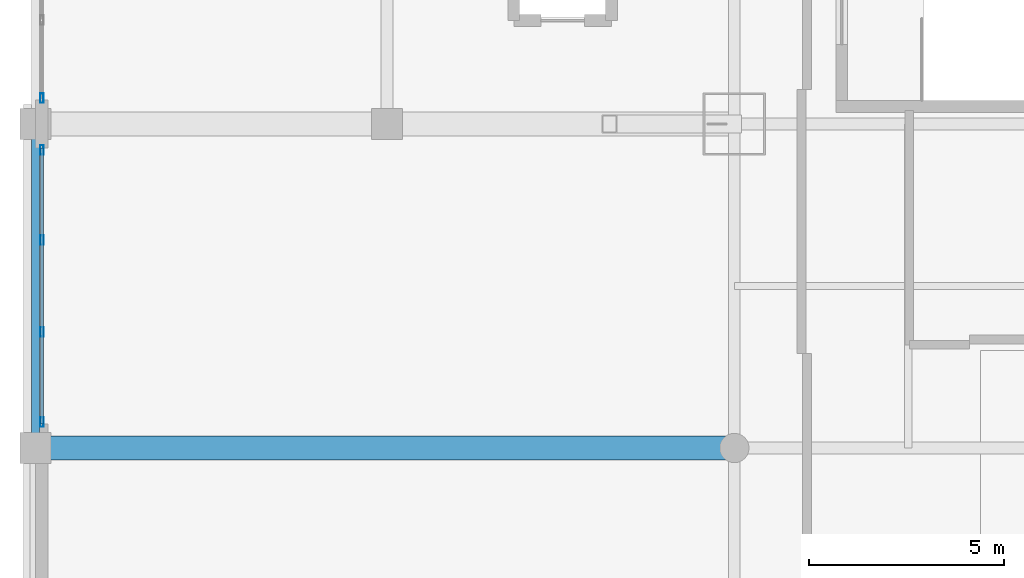
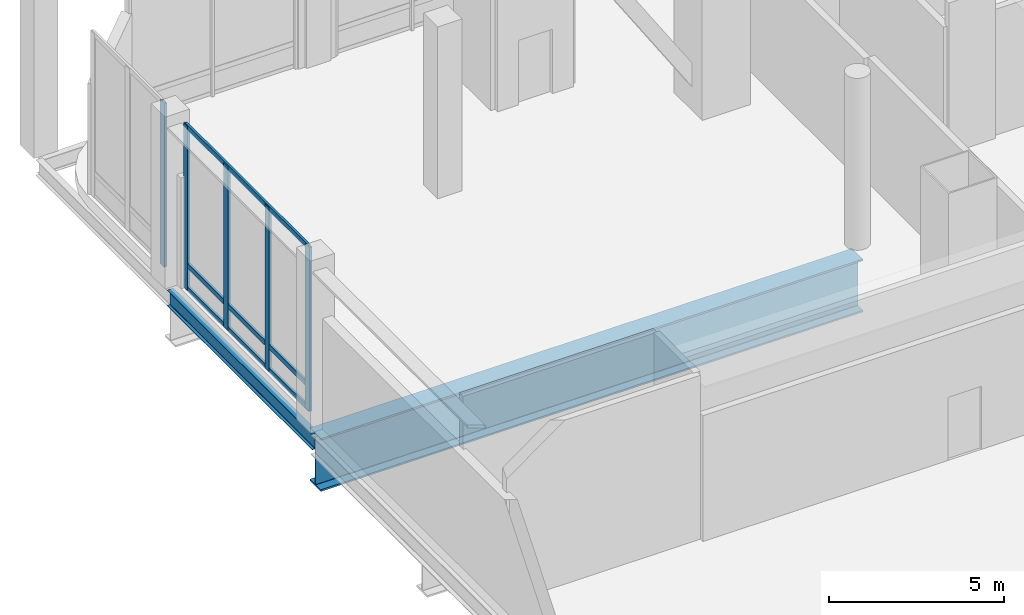
# One storey, part 10 of 38: 8 members, 2 beams, 2 elements without a shape of their own.
"""IFC4 building model written with IfcOpenShell, lengths in metres."""

from ifc_helpers import new_model, si_unit, direction, frame, origin, origin_2d, place, context, subcontext, project, spatial, hollow_rectangle, i_section, extrude, material, material_profile, profile_set, type_object, element, aggregate, save


model = new_model("IFC4")

# Units and contexts
model_context = context("Model", 3, precision=1e-05, world=origin(), true_north=direction((0.0, 1.0)))
body_context = subcontext(model_context, "Body", "Model", "MODEL_VIEW")
ifc_project = project(units=[si_unit("LENGTHUNIT", "METRE"), si_unit("AREAUNIT", "SQUARE_METRE"), si_unit("VOLUMEUNIT", "CUBIC_METRE"), si_unit("PLANEANGLEUNIT", "RADIAN"), si_unit("MASSUNIT", "GRAM", prefix="KILO")], contexts=[model_context])

# Site, building, storey
site_placement = place(None, origin())
site = spatial("IfcSite", under=ifc_project, at=site_placement, CompositionType="ELEMENT")
building_placement = place(site_placement, origin())
building = spatial("IfcBuilding", under=site, at=building_placement, Name="Punatoya Terracotta Tower", CompositionType="ELEMENT")
storey_placement = place(building_placement, frame((0.0, 0.0, 22.199951171875)))
storey = spatial("IfcBuildingStorey", under=building, at=storey_placement, Name="L04", CompositionType="ELEMENT", Elevation=22.199951171875)

# Beams
ifc_material_1 = material(Name="Steel S355", Category="steel")
ifc_material_profile_1 = material_profile(ifc_material_1, i_section(OverallWidth=0.2099609375, OverallDepth=0.550048828125, WebThickness=0.010986328125, FlangeThickness=0.01708984375, FilletRadius=0.01806640625, at=origin_2d()))
ifc_profile_set_1 = profile_set([ifc_material_profile_1], Name="Steel S355")
beam_type_1 = type_object("IfcBeamType", Name="BM-SPN-550", PredefinedType="SPANDREL", material=ifc_profile_set_1)
beam_1_placement = place(storey_placement, frame((-37.0, 9.199951171875, -0.655029296875), z_axis=(0.0, 1.0, 0.0), x_axis=(-1.0, 0.0, 0.0)))
element("IfcBeam", 1, at=beam_1_placement, inside=storey, type_object=beam_type_1, Name="BM-L04-X37W-9", PredefinedType="SPANDREL", context=body_context, shape_type="SweptSolid", body=[
    extrude(i_section(OverallWidth=0.2099609375, OverallDepth=0.550048828125, WebThickness=0.010986328125, FlangeThickness=0.01708984375, FilletRadius=0.01806640625, at=origin_2d()), origin(), (0.0, 0.0, 1.0), 8.300048828125),
])
ifc_material_2 = material(Name="Steel S460", Category="steel")
ifc_material_profile_2 = material_profile(ifc_material_2, i_section(OverallWidth=0.6201171875, OverallDepth=1.85009765625, WebThickness=0.0400390625, FlangeThickness=0.06005859375, FilletRadius=0.01806640625, at=origin_2d()))
ifc_profile_set_2 = profile_set([ifc_material_profile_2], Name="Steel S460")
beam_type_2 = type_object("IfcBeamType", Name="BM-TG-AUD", PredefinedType="BEAM", material=ifc_profile_set_2)
beam_2_placement = place(storey_placement, frame((-37.0, 9.199951171875, -1.304931640625), z_axis=(1.0, 0.0, 0.0), x_axis=(0.0, 1.0, 0.0)))
element("IfcBeam", 2, at=beam_2_placement, inside=storey, type_object=beam_type_2, Name="L04 Auditorium Transfer Girder TG-01 (F)", PredefinedType="BEAM", context=body_context, shape_type="SweptSolid", body=[
    extrude(i_section(OverallWidth=0.6201171875, OverallDepth=1.85009765625, WebThickness=0.0400390625, FlangeThickness=0.06005859375, FilletRadius=0.01806640625, at=origin_2d()), origin(), (0.0, 0.0, 1.0), 17.89990234375),
])

# Curtain wall, members
ifc_material_3 = material(Name="Aluminium 6063-T6 + Double Low-E Glass", Category="aluminium")
curtain_wall_type = type_object("IfcCurtainWallType", Name="CW-POD", PredefinedType="NOTDEFINED", material=ifc_material_3)
curtain_wall_1_placement = place(storey_placement, origin())
curtain_wall_1 = element("IfcCurtainWall", 3, at=curtain_wall_1_placement, inside=storey, type_object=curtain_wall_type, Name="L04 Curtain Wall CWP-L04-W3", PredefinedType="NOTDEFINED")
ifc_material_4 = material(Name="Aluminium 6063-T6", Category="aluminium")
ifc_material_profile_3 = material_profile(ifc_material_4, hollow_rectangle(XDim=0.0849609375, YDim=0.239990234375, WallThickness=0.0048828125, at=origin_2d()))
ifc_profile_set_3 = profile_set([ifc_material_profile_3], Name="Aluminium 6063-T6")
member_type_1 = type_object("IfcMemberType", Name="CW-MUL-POD", PredefinedType="MULLION", material=ifc_profile_set_3)
member_1_placement = place(storey_placement, frame((-36.840087890625, 9.864990234375, 0.0), z_axis=(0.0, 0.0, 1.0), x_axis=(1.0, 0.0, 0.0)))
member_1 = element("IfcMember", 4, at=member_1_placement, type_object=member_type_1, Name="CWP-L04-W3 Mullion 00", PredefinedType="MULLION", context=body_context, shape_type="SweptSolid", body=[
    extrude(hollow_rectangle(XDim=0.0849609375, YDim=0.239990234375, WallThickness=0.0048828125, at=origin_2d()), origin(), (0.0, 0.0, 1.0), 5.719970703125),
])
member_2_placement = place(storey_placement, frame((-36.840087890625, 12.17333984375, 0.0), z_axis=(0.0, 0.0, 1.0), x_axis=(1.0, 0.0, 0.0)))
member_2 = element("IfcMember", 5, at=member_2_placement, type_object=member_type_1, Name="CWP-L04-W3 Mullion 01", PredefinedType="MULLION", context=body_context, shape_type="SweptSolid", body=[
    extrude(hollow_rectangle(XDim=0.0849609375, YDim=0.239990234375, WallThickness=0.0048828125, at=origin_2d()), origin(), (0.0, 0.0, 1.0), 5.719970703125),
])
member_3_placement = place(storey_placement, frame((-36.840087890625, 14.526611328125, 0.0), z_axis=(0.0, 0.0, 1.0), x_axis=(1.0, 0.0, 0.0)))
member_3 = element("IfcMember", 6, at=member_3_placement, type_object=member_type_1, Name="CWP-L04-W3 Mullion 02", PredefinedType="MULLION", context=body_context, shape_type="SweptSolid", body=[
    extrude(hollow_rectangle(XDim=0.0849609375, YDim=0.239990234375, WallThickness=0.0048828125, at=origin_2d()), origin(), (0.0, 0.0, 1.0), 5.719970703125),
])
member_4_placement = place(storey_placement, frame((-36.840087890625, 16.8349609375, 0.0), z_axis=(0.0, 0.0, 1.0), x_axis=(1.0, 0.0, 0.0)))
member_4 = element("IfcMember", 7, at=member_4_placement, type_object=member_type_1, Name="CWP-L04-W3 Mullion 03", PredefinedType="MULLION", context=body_context, shape_type="SweptSolid", body=[
    extrude(hollow_rectangle(XDim=0.0849609375, YDim=0.239990234375, WallThickness=0.0048828125, at=origin_2d()), origin(), (0.0, 0.0, 1.0), 5.719970703125),
])

# Curtain wall, member
curtain_wall_2_placement = place(storey_placement, origin())
curtain_wall_2 = element("IfcCurtainWall", 8, at=curtain_wall_2_placement, inside=storey, type_object=curtain_wall_type, Name="L04 Curtain Wall CWP-L04-W4", PredefinedType="NOTDEFINED")
member_5_placement = place(storey_placement, frame((-36.840087890625, 18.1650390625, 0.0), z_axis=(0.0, 0.0, 1.0), x_axis=(1.0, 0.0, 0.0)))
member_5 = element("IfcMember", 9, at=member_5_placement, type_object=member_type_1, Name="CWP-L04-W4 Mullion 00", PredefinedType="MULLION", context=body_context, shape_type="SweptSolid", body=[
    extrude(hollow_rectangle(XDim=0.0849609375, YDim=0.239990234375, WallThickness=0.0048828125, at=origin_2d()), origin(), (0.0, 0.0, 1.0), 5.719970703125),
])
aggregate(curtain_wall_2, [member_5])

# Member
ifc_material_profile_4 = material_profile(ifc_material_4, hollow_rectangle(XDim=0.074951171875, YDim=0.175048828125, WallThickness=0.00439453125, at=origin_2d()))
ifc_profile_set_4 = profile_set([ifc_material_profile_4], Name="Aluminium 6063-T6")
member_type_2 = type_object("IfcMemberType", Name="CW-TRN-POD", PredefinedType="USERDEFINED", material=ifc_profile_set_4)
member_6_placement = place(storey_placement, frame((-36.840087890625, 9.820068359375, 0.0400390625), z_axis=(0.0, 1.0, 0.0), x_axis=(-1.0, 0.0, 0.0)))
member_6 = element("IfcMember", 10, at=member_6_placement, type_object=member_type_2, Name="CWP-L04-W3 Transom 1", ObjectType="TRANSOM", PredefinedType="USERDEFINED", context=body_context, shape_type="SweptSolid", body=[
    extrude(hollow_rectangle(XDim=0.074951171875, YDim=0.175048828125, WallThickness=0.00439453125, at=origin_2d()), origin(), (0.0, 0.0, 1.0), 7.059814453125),
])

member_7_placement = place(storey_placement, frame((-36.840087890625, 9.820068359375, 0.85009765625), z_axis=(0.0, 1.0, 0.0), x_axis=(-1.0, 0.0, 0.0)))
member_7 = element("IfcMember", 11, at=member_7_placement, type_object=member_type_2, Name="CWP-L04-W3 Transom 2", ObjectType="TRANSOM", PredefinedType="USERDEFINED", context=body_context, shape_type="SweptSolid", body=[
    extrude(hollow_rectangle(XDim=0.074951171875, YDim=0.175048828125, WallThickness=0.00439453125, at=origin_2d()), origin(), (0.0, 0.0, 1.0), 7.059814453125),
])

member_8_placement = place(storey_placement, frame((-36.840087890625, 9.820068359375, 5.679931640625), z_axis=(0.0, 1.0, 0.0), x_axis=(-1.0, 0.0, 0.0)))
member_8 = element("IfcMember", 12, at=member_8_placement, type_object=member_type_2, Name="CWP-L04-W3 Transom 3", ObjectType="TRANSOM", PredefinedType="USERDEFINED", context=body_context, shape_type="SweptSolid", body=[
    extrude(hollow_rectangle(XDim=0.074951171875, YDim=0.175048828125, WallThickness=0.00439453125, at=origin_2d()), origin(), (0.0, 0.0, 1.0), 7.059814453125),
])

aggregate(curtain_wall_1, [member_1, member_2, member_3, member_4, member_6, member_7, member_8])

save(model, "model.ifc")
